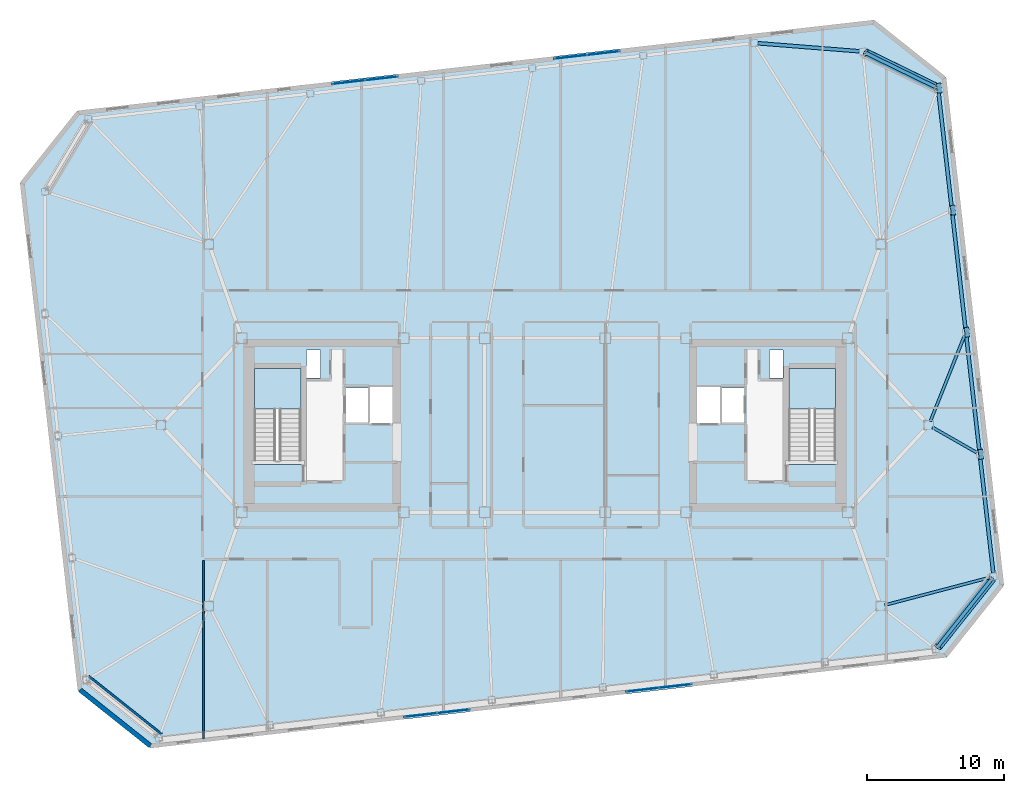
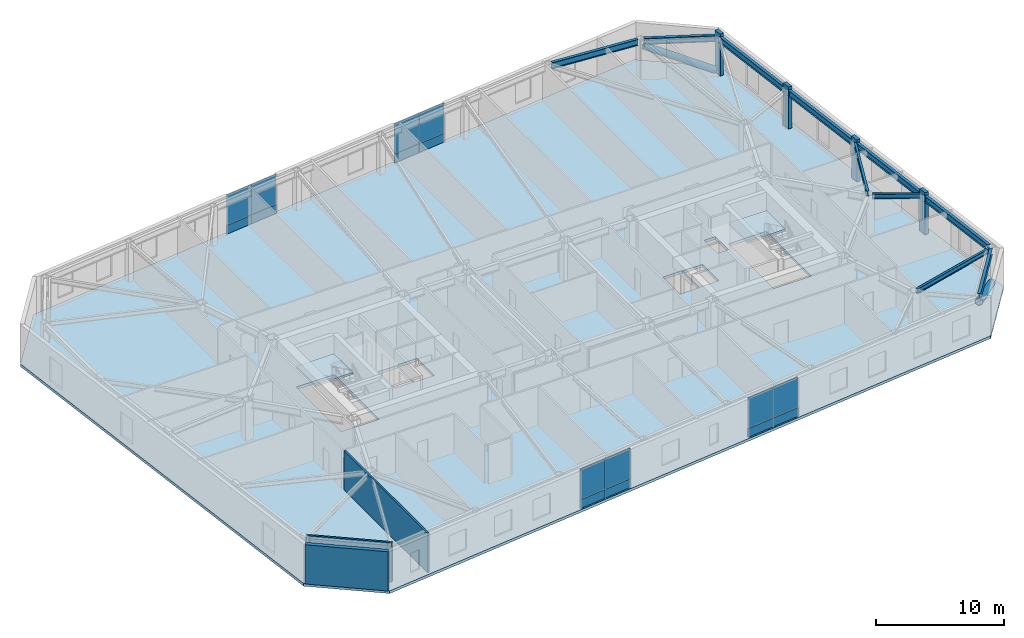
# One storey, part 11 of 19: 16 plates, 10 beams, 6 members, 3 slabs, 3 walls, 6 elements without a shape of their own.
"""IFC4 building model written with IfcOpenShell, lengths in metres."""

from ifc_helpers import new_model, si_unit, direction, frame, frame_2d, origin, origin_2d, place, context, subcontext, project, spatial, polyline, rectangle, hollow_circle, i_section, outline, extrude, material, layer, layer_set, material_profile, profile_set, type_object, element, aggregate, save


model = new_model("IFC4")

# Units and contexts
model_context = context("Model", 3, precision=1e-05, world=origin(), true_north=direction((0.0, 1.0)))
body_context = subcontext(model_context, "Body", "Model", "MODEL_VIEW")
ifc_project = project(units=[si_unit("LENGTHUNIT", "METRE"), si_unit("AREAUNIT", "SQUARE_METRE"), si_unit("VOLUMEUNIT", "CUBIC_METRE"), si_unit("PLANEANGLEUNIT", "RADIAN"), si_unit("MASSUNIT", "GRAM", prefix="KILO")], contexts=[model_context])

# Site, building, storey
site_placement = place(None, origin())
site = spatial("IfcSite", under=ifc_project, at=site_placement, CompositionType="ELEMENT")
building_placement = place(site_placement, origin())
building = spatial("IfcBuilding", under=site, at=building_placement, Name="Tavrogorsk Clinical Tower", CompositionType="ELEMENT")
storey_placement = place(building_placement, frame((0.0, 0.0, 259.0)))
storey = spatial("IfcBuildingStorey", under=building, at=storey_placement, Name="L60", CompositionType="ELEMENT", Elevation=259.0)

# Members
ifc_material_1 = material(Name="Structural steel S440", Category="steel")
ifc_material_profile_1 = material_profile(ifc_material_1, hollow_circle(Radius=0.304931640625, WallThickness=0.02490234375, at=origin_2d()), Name="CHS-610x25")
ifc_profile_set_1 = profile_set([ifc_material_profile_1], Name="Structural steel S440")
member_type_1 = type_object("IfcMemberType", Name="ExoBrace_CHS610", PredefinedType="BRACE", material=ifc_profile_set_1)
member_1_placement = place(storey_placement, frame((32.5859375, -11.2197265625, 0.398193359375), z_axis=(-0.575789482159, -0.723851679348, 0.380138420237), x_axis=(0.782601910855, -0.622522488852, 0.0)))
element("IfcMember", 1, at=member_1_placement, inside=storey, type_object=member_type_1, Name="L60 Corner Exoskeleton Brace S8-E1", PredefinedType="BRACE", context=body_context, shape_type="SweptSolid", body=[
    extrude(hollow_circle(Radius=0.304931640625, WallThickness=0.02490234375, at=origin_2d()), origin(), (0.0, 0.0, 1.0), 6.8232421875),
])
member_2_placement = place(storey_placement, frame((28.46630859375, 24.679443359375, 0.4072265625), z_axis=(-0.817526882464, 0.398699450942, 0.41555811178), x_axis=(-0.438340015424, -0.898809229413, 0.0)))
element("IfcMember", 2, at=member_2_placement, inside=storey, type_object=member_type_1, Name="L60 Corner Exoskeleton Brace E5-N1", PredefinedType="BRACE", context=body_context, shape_type="SweptSolid", body=[
    extrude(hollow_circle(Radius=0.304931640625, WallThickness=0.02490234375, at=origin_2d()), origin(), (0.0, 0.0, 1.0), 6.1982421875),
])

# Beams
ifc_material_2 = material(Name="Structural steel S355", Category="steel")
ifc_material_profile_2 = material_profile(ifc_material_2, i_section(OverallWidth=0.199951171875, OverallDepth=0.449951171875, WebThickness=0.011474609375, FlangeThickness=0.01806640625, at=origin_2d()), Name="B-450x200x11.5x18")
ifc_profile_set_2 = profile_set([ifc_material_profile_2], Name="Structural steel S355")
beam_type_1 = type_object("IfcBeamType", Name="FloorBeam_B450", PredefinedType="BEAM", material=ifc_profile_set_2)
beam_1_placement = place(storey_placement, frame((24.7998046875, -13.12109375, 3.514892578125), z_axis=(0.967072149487, 0.254502372652, 0.0), x_axis=(-0.254502372652, 0.967072149487, 0.0)))
element("IfcBeam", 3, at=beam_1_placement, inside=storey, type_object=beam_type_1, Name="L60 Radial Floor Beam E1", PredefinedType="BEAM", context=body_context, shape_type="SweptSolid", body=[
    extrude(i_section(OverallWidth=0.199951171875, OverallDepth=0.449951171875, WebThickness=0.011474609375, FlangeThickness=0.01806640625, at=origin_2d()), origin(), (0.0, 0.0, 1.0), 7.94677734375),
])
beam_2_placement = place(storey_placement, frame((28.26904296875, -0.154052734375, 3.514892578125), z_axis=(0.867782232017, -0.49694466271, 0.0), x_axis=(0.49694466271, 0.867782232017, 0.0)))
element("IfcBeam", 4, at=beam_2_placement, inside=storey, type_object=beam_type_1, Name="L60 Radial Floor Beam E2", PredefinedType="BEAM", context=body_context, shape_type="SweptSolid", body=[
    extrude(i_section(OverallWidth=0.199951171875, OverallDepth=0.449951171875, WebThickness=0.011474609375, FlangeThickness=0.01806640625, at=origin_2d()), origin(), (0.0, 0.0, 1.0), 3.718994140625),
])
beam_3_placement = place(storey_placement, frame((28.114990234375, 0.287841796875, 3.514892578125), z_axis=(0.371052625529, 0.928611839838, 0.0), x_axis=(-0.928611839838, 0.371052625529, 0.0)))
element("IfcBeam", 5, at=beam_3_placement, inside=storey, type_object=beam_type_1, Name="L60 Radial Floor Beam E3", PredefinedType="BEAM", context=body_context, shape_type="SweptSolid", body=[
    extrude(i_section(OverallWidth=0.199951171875, OverallDepth=0.449951171875, WebThickness=0.011474609375, FlangeThickness=0.01806640625, at=origin_2d()), origin(), (0.0, 0.0, 1.0), 6.724365234375),
])

# Members
ifc_material_3 = material(Name="Precast concrete B45 with limestone cladding", Category="masonry")
ifc_material_profile_3 = material_profile(ifc_material_3, rectangle(XDim=0.320068359375, YDim=0.719970703125, at=origin_2d()), Name="LIMESTONE-FIN-320x720")
ifc_profile_set_3 = profile_set([ifc_material_profile_3], Name="Precast concrete B45 with limestone cladding")
member_type_2 = type_object("IfcMemberType", Name="LimestonePleatFin_320x720", PredefinedType="USERDEFINED", material=ifc_profile_set_3)
for number, where, z_axis, x_axis, name in (
    (6, (31.799560546875, -2.121337890625, 0.0), (0.0, 0.0, 1.0), (0.993571855677, 0.113203213768, 0.0), "L60 E Pleated Stone Fin 1"),
    (7, (30.785400390625, 6.781005859375, 0.0), (0.0, 0.0, 1.0), (0.993571855677, 0.113203213768, 0.0), "L60 E Pleated Stone Fin 2"),
    (8, (29.77099609375, 15.683349609375, 0.0), (0.0, 0.0, 1.0), (0.993571855677, 0.113203213768, 0.0), "L60 E Pleated Stone Fin 3"),
    (9, (28.756591796875, 24.585693359375, 0.0), (0.0, 0.0, 1.0), (0.993571855677, 0.113203213768, 0.0), "L60 E Pleated Stone Fin 4"),
):
    element("IfcMember", number, at=place(storey_placement, frame(where, z_axis=z_axis, x_axis=x_axis)), inside=storey, type_object=member_type_2, Name=name, ObjectType="FIN", PredefinedType="USERDEFINED", context=body_context, shape_type="SweptSolid", body=[
        extrude(rectangle(XDim=0.320068359375, YDim=0.719970703125, at=origin_2d()), origin(), (0.0, 0.0, 1.0), 4.0),
    ])

# Beams
ifc_material_4 = material(Name="Structural steel S390", Category="steel")
ifc_material_profile_4 = material_profile(ifc_material_4, i_section(OverallWidth=0.260009765625, OverallDepth=0.60009765625, WebThickness=0.014892578125, FlangeThickness=0.02392578125, at=origin_2d()), Name="B-600x260x15x24")
ifc_profile_set_4 = profile_set([ifc_material_profile_4], Name="Structural steel S390")
beam_type_2 = type_object("IfcBeamType", Name="SpandrelBeam_B600", PredefinedType="SPANDREL", material=ifc_profile_set_4)
beam_4_placement = place(storey_placement, frame((28.669189453125, -16.1435546875, 3.43994140625), z_axis=(0.622513813188, 0.782608811853, 0.0), x_axis=(-0.782608811853, 0.622513813188, 0.0)))
element("IfcBeam", 10, at=beam_4_placement, inside=storey, type_object=beam_type_2, Name="L60 Perimeter Spandrel S8-E1", PredefinedType="SPANDREL", context=body_context, shape_type="SweptSolid", body=[
    extrude(i_section(OverallWidth=0.260009765625, OverallDepth=0.60009765625, WebThickness=0.014892578125, FlangeThickness=0.02392578125, at=origin_2d()), origin(), (0.0, 0.0, 1.0), 6.272216796875),
])
for number, where, z_axis, x_axis, name in (
    (11, (32.705078125, -10.776611328125, 3.43994140625), (-0.113191877531, 0.993573147212, 0.0), (-0.993573147212, -0.113191877531, 0.0), "L60 Perimeter Spandrel E1-E2"),
    (12, (31.69091796875, -1.874267578125, 3.43994140625), (-0.113191877531, 0.993573147212, 0.0), (-0.993573147212, -0.113191877531, 0.0), "L60 Perimeter Spandrel E2-E3"),
):
    element("IfcBeam", number, at=place(storey_placement, frame(where, z_axis=z_axis, x_axis=x_axis)), inside=storey, type_object=beam_type_2, Name=name, PredefinedType="SPANDREL", context=body_context, shape_type="SweptSolid", body=[
        extrude(i_section(OverallWidth=0.260009765625, OverallDepth=0.60009765625, WebThickness=0.014892578125, FlangeThickness=0.02392578125, at=origin_2d()), origin(), (0.0, 0.0, 1.0), 8.444091796875),
    ])
for number, where, z_axis, x_axis, name in (
    (13, (30.676513671875, 7.0283203125, 3.43994140625), (-0.113195129234, 0.99357277676, 0.0), (-0.99357277676, -0.113195129234, 0.0), "L60 Perimeter Spandrel E3-E4"),
    (14, (29.662353515625, 15.9306640625, 3.43994140625), (-0.113223671813, 0.993569524563, 0.0), (-0.993569524563, -0.113223671813, 0.0), "L60 Perimeter Spandrel E4-E5"),
):
    element("IfcBeam", number, at=place(storey_placement, frame(where, z_axis=z_axis, x_axis=x_axis)), inside=storey, type_object=beam_type_2, Name=name, PredefinedType="SPANDREL", context=body_context, shape_type="SweptSolid", body=[
        extrude(i_section(OverallWidth=0.260009765625, OverallDepth=0.60009765625, WebThickness=0.014892578125, FlangeThickness=0.02392578125, at=origin_2d()), origin(), (0.0, 0.0, 1.0), 8.44384765625),
    ])
beam_5_placement = place(storey_placement, frame((28.4453125, 24.689697265625, 3.43994140625), z_axis=(-0.898811248667, 0.438335874951, 0.0), x_axis=(-0.438335874951, -0.898811248667, 0.0)))
element("IfcBeam", 15, at=beam_5_placement, inside=storey, type_object=beam_type_2, Name="L60 Perimeter Spandrel E5-N1", PredefinedType="SPANDREL", context=body_context, shape_type="SweptSolid", body=[
    extrude(i_section(OverallWidth=0.260009765625, OverallDepth=0.60009765625, WebThickness=0.014892578125, FlangeThickness=0.02392578125, at=origin_2d()), origin(), (0.0, 0.0, 1.0), 5.5908203125),
])
beam_6_placement = place(storey_placement, frame((22.930908203125, 27.273681640625, 3.43994140625), z_axis=(-0.996881705424, 0.078910489738, 0.0), x_axis=(-0.078910489738, -0.996881705424, 0.0)))
element("IfcBeam", 16, at=beam_6_placement, inside=storey, type_object=beam_type_2, Name="L60 Perimeter Spandrel N1-N2", PredefinedType="SPANDREL", context=body_context, shape_type="SweptSolid", body=[
    extrude(i_section(OverallWidth=0.260009765625, OverallDepth=0.60009765625, WebThickness=0.014892578125, FlangeThickness=0.02392578125, at=origin_2d()), origin(), (0.0, 0.0, 1.0), 7.428466796875),
])

# Curtain wall, plates
ifc_material_5 = material(Name="Anodised aluminium and triple IGU glazing", Category="aluminium")
ifc_layer_1 = layer(ifc_material_5, 0.179931640625)
ifc_layer_set_1 = layer_set([ifc_layer_1], Name="Anodised aluminium and triple IGU glazing")
curtain_wall_type_1 = type_object("IfcCurtainWallType", Name="CW3_SouthSlot", PredefinedType="NOTDEFINED", material=ifc_layer_set_1)
curtain_wall_1_placement = place(storey_placement, origin())
curtain_wall_1 = element("IfcCurtainWall", 17, at=curtain_wall_1_placement, inside=storey, type_object=curtain_wall_type_1, Name="L60 Curtain Wall CW-L60-S-SLOT-1", PredefinedType="NOTDEFINED")
ifc_material_6 = material(Name="Honed Podolsk limestone spandrel panel", Category="masonry")
ifc_layer_2 = layer(ifc_material_6, 0.080078125)
ifc_layer_set_2 = layer_set([ifc_layer_2], Name="Honed Podolsk limestone spandrel panel")
plate_type_1 = type_object("IfcPlateType", Name="CwSpandrelStonePanel_80", PredefinedType="CURTAIN_PANEL", material=ifc_layer_set_2)
plate_1_placement = place(storey_placement, frame((-9.066650390625, -21.139892578125, 0.001953125), z_axis=(0.0, 0.0, 1.0), x_axis=(0.993571855603, 0.11320321441, 0.0)))
plate_1 = element("IfcPlate", 18, at=plate_1_placement, type_object=plate_type_1, Name="CW-L60-S-SLOT-1 Stone Spandrel Panel 1", PredefinedType="CURTAIN_PANEL", context=body_context, shape_type="SweptSolid", body=[
    extrude(rectangle(XDim=2.39208984375, YDim=0.080078125, at=origin_2d()), origin(), (0.0, 0.0, 1.0), 0.8359375),
])
plate_2_placement = place(storey_placement, frame((-6.666259765625, -20.866455078125, 0.001953125), z_axis=(0.0, 0.0, 1.0), x_axis=(0.993571855603, 0.11320321441, 0.0)))
plate_2 = element("IfcPlate", 19, at=plate_2_placement, type_object=plate_type_1, Name="CW-L60-S-SLOT-1 Stone Spandrel Panel 2", PredefinedType="CURTAIN_PANEL", context=body_context, shape_type="SweptSolid", body=[
    extrude(rectangle(XDim=2.39208984375, YDim=0.080078125, at=origin_2d()), origin(), (0.0, 0.0, 1.0), 0.8359375),
])

curtain_wall_2_placement = place(storey_placement, origin())
curtain_wall_2 = element("IfcCurtainWall", 20, at=curtain_wall_2_placement, inside=storey, type_object=curtain_wall_type_1, Name="L60 Curtain Wall CW-L60-S-SLOT-2", PredefinedType="NOTDEFINED")
plate_3_placement = place(storey_placement, frame((7.125732421875, -19.294921875, 0.001953125), z_axis=(0.0, 0.0, 1.0), x_axis=(0.993571855603, 0.11320321441, 0.0)))
plate_3 = element("IfcPlate", 21, at=plate_3_placement, type_object=plate_type_1, Name="CW-L60-S-SLOT-2 Stone Spandrel Panel 1", PredefinedType="CURTAIN_PANEL", context=body_context, shape_type="SweptSolid", body=[
    extrude(rectangle(XDim=2.39208984375, YDim=0.080078125, at=origin_2d()), origin(), (0.0, 0.0, 1.0), 0.8359375),
])
plate_4_placement = place(storey_placement, frame((9.526123046875, -19.021484375, 0.001953125), z_axis=(0.0, 0.0, 1.0), x_axis=(0.993571855603, 0.11320321441, 0.0)))
plate_4 = element("IfcPlate", 22, at=plate_4_placement, type_object=plate_type_1, Name="CW-L60-S-SLOT-2 Stone Spandrel Panel 2", PredefinedType="CURTAIN_PANEL", context=body_context, shape_type="SweptSolid", body=[
    extrude(rectangle(XDim=2.39208984375, YDim=0.080078125, at=origin_2d()), origin(), (0.0, 0.0, 1.0), 0.8359375),
])

ifc_material_7 = material(Name="Anodised aluminium and triple IGU glazing", Category="aluminium")
ifc_layer_3 = layer(ifc_material_7, 0.179931640625)
ifc_layer_set_3 = layer_set([ifc_layer_3], Name="Anodised aluminium and triple IGU glazing")
curtain_wall_type_2 = type_object("IfcCurtainWallType", Name="CW2_NorthSlot", PredefinedType="NOTDEFINED", material=ifc_layer_set_3)
curtain_wall_3_placement = place(storey_placement, origin())
curtain_wall_3 = element("IfcCurtainWall", 23, at=curtain_wall_3_placement, inside=storey, type_object=curtain_wall_type_2, Name="L60 Curtain Wall CW-L60-N-SLOT-1", PredefinedType="NOTDEFINED")
plate_5_placement = place(storey_placement, frame((-11.92578125, 25.294921875, 0.001953125), z_axis=(0.0, 0.0, 1.0), x_axis=(-0.993571855603, -0.11320321441, 0.0)))
plate_5 = element("IfcPlate", 24, at=plate_5_placement, type_object=plate_type_1, Name="CW-L60-N-SLOT-1 Stone Spandrel Panel 1", PredefinedType="CURTAIN_PANEL", context=body_context, shape_type="SweptSolid", body=[
    extrude(rectangle(XDim=2.39208984375, YDim=0.080078125, at=origin_2d()), origin(), (0.0, 0.0, 1.0), 0.8359375),
])
plate_6_placement = place(storey_placement, frame((-14.326171875, 25.021484375, 0.001953125), z_axis=(0.0, 0.0, 1.0), x_axis=(-0.993571855603, -0.11320321441, 0.0)))
plate_6 = element("IfcPlate", 25, at=plate_6_placement, type_object=plate_type_1, Name="CW-L60-N-SLOT-1 Stone Spandrel Panel 2", PredefinedType="CURTAIN_PANEL", context=body_context, shape_type="SweptSolid", body=[
    extrude(rectangle(XDim=2.39208984375, YDim=0.080078125, at=origin_2d()), origin(), (0.0, 0.0, 1.0), 0.8359375),
])

curtain_wall_4_placement = place(storey_placement, origin())
curtain_wall_4 = element("IfcCurtainWall", 26, at=curtain_wall_4_placement, inside=storey, type_object=curtain_wall_type_2, Name="L60 Curtain Wall CW-L60-N-SLOT-2", PredefinedType="NOTDEFINED")
plate_7_placement = place(storey_placement, frame((4.266845703125, 27.139892578125, 0.001953125), z_axis=(0.0, 0.0, 1.0), x_axis=(-0.993571855603, -0.11320321441, 0.0)))
plate_7 = element("IfcPlate", 27, at=plate_7_placement, type_object=plate_type_1, Name="CW-L60-N-SLOT-2 Stone Spandrel Panel 1", PredefinedType="CURTAIN_PANEL", context=body_context, shape_type="SweptSolid", body=[
    extrude(rectangle(XDim=2.39208984375, YDim=0.080078125, at=origin_2d()), origin(), (0.0, 0.0, 1.0), 0.8359375),
])
plate_8_placement = place(storey_placement, frame((1.8662109375, 26.866455078125, 0.001953125), z_axis=(0.0, 0.0, 1.0), x_axis=(-0.993571855603, -0.11320321441, 0.0)))
plate_8 = element("IfcPlate", 28, at=plate_8_placement, type_object=plate_type_1, Name="CW-L60-N-SLOT-2 Stone Spandrel Panel 2", PredefinedType="CURTAIN_PANEL", context=body_context, shape_type="SweptSolid", body=[
    extrude(rectangle(XDim=2.39208984375, YDim=0.080078125, at=origin_2d()), origin(), (0.0, 0.0, 1.0), 0.8359375),
])

# Plate
ifc_material_8 = material(Name="Triple low-E argon insulated glass", Category="glass")
ifc_layer_4 = layer(ifc_material_8, 0.048095703125)
ifc_layer_set_4 = layer_set([ifc_layer_4], Name="Triple low-E argon insulated glass")
plate_type_2 = type_object("IfcPlateType", Name="CwVisionGlassPanel_48", PredefinedType="CURTAIN_PANEL", material=ifc_layer_set_4)
plate_9_placement = place(storey_placement, frame((-9.066650390625, -21.139892578125, 0.862060546875), z_axis=(0.0, 0.0, 1.0), x_axis=(0.993571855603, 0.11320321441, 0.0)))
plate_9 = element("IfcPlate", 29, at=plate_9_placement, type_object=plate_type_2, Name="CW-L60-S-SLOT-1 Glazing Panel 1", PredefinedType="CURTAIN_PANEL", context=body_context, shape_type="SweptSolid", body=[
    extrude(rectangle(XDim=2.39208984375, YDim=0.048095703125, at=origin_2d()), origin(), (0.0, 0.0, 1.0), 2.8759765625),
])

plate_10_placement = place(storey_placement, frame((-6.666259765625, -20.866455078125, 0.862060546875), z_axis=(0.0, 0.0, 1.0), x_axis=(0.993571855603, 0.11320321441, 0.0)))
plate_10 = element("IfcPlate", 30, at=plate_10_placement, type_object=plate_type_2, Name="CW-L60-S-SLOT-1 Glazing Panel 2", PredefinedType="CURTAIN_PANEL", context=body_context, shape_type="SweptSolid", body=[
    extrude(rectangle(XDim=2.39208984375, YDim=0.048095703125, at=origin_2d()), origin(), (0.0, 0.0, 1.0), 2.8759765625),
])

aggregate(curtain_wall_1, [plate_1, plate_9, plate_2, plate_10])

plate_11_placement = place(storey_placement, frame((7.125732421875, -19.294921875, 0.862060546875), z_axis=(0.0, 0.0, 1.0), x_axis=(0.993571855603, 0.11320321441, 0.0)))
plate_11 = element("IfcPlate", 31, at=plate_11_placement, type_object=plate_type_2, Name="CW-L60-S-SLOT-2 Glazing Panel 1", PredefinedType="CURTAIN_PANEL", context=body_context, shape_type="SweptSolid", body=[
    extrude(rectangle(XDim=2.39208984375, YDim=0.048095703125, at=origin_2d()), origin(), (0.0, 0.0, 1.0), 2.8759765625),
])

plate_12_placement = place(storey_placement, frame((9.526123046875, -19.021484375, 0.862060546875), z_axis=(0.0, 0.0, 1.0), x_axis=(0.993571855603, 0.11320321441, 0.0)))
plate_12 = element("IfcPlate", 32, at=plate_12_placement, type_object=plate_type_2, Name="CW-L60-S-SLOT-2 Glazing Panel 2", PredefinedType="CURTAIN_PANEL", context=body_context, shape_type="SweptSolid", body=[
    extrude(rectangle(XDim=2.39208984375, YDim=0.048095703125, at=origin_2d()), origin(), (0.0, 0.0, 1.0), 2.8759765625),
])

aggregate(curtain_wall_2, [plate_3, plate_11, plate_4, plate_12])

plate_13_placement = place(storey_placement, frame((-11.92578125, 25.294921875, 0.862060546875), z_axis=(0.0, 0.0, 1.0), x_axis=(-0.993571855603, -0.11320321441, 0.0)))
plate_13 = element("IfcPlate", 33, at=plate_13_placement, type_object=plate_type_2, Name="CW-L60-N-SLOT-1 Glazing Panel 1", PredefinedType="CURTAIN_PANEL", context=body_context, shape_type="SweptSolid", body=[
    extrude(rectangle(XDim=2.39208984375, YDim=0.048095703125, at=origin_2d()), origin(), (0.0, 0.0, 1.0), 2.8759765625),
])

plate_14_placement = place(storey_placement, frame((-14.326171875, 25.021484375, 0.862060546875), z_axis=(0.0, 0.0, 1.0), x_axis=(-0.993571855603, -0.11320321441, 0.0)))
plate_14 = element("IfcPlate", 34, at=plate_14_placement, type_object=plate_type_2, Name="CW-L60-N-SLOT-1 Glazing Panel 2", PredefinedType="CURTAIN_PANEL", context=body_context, shape_type="SweptSolid", body=[
    extrude(rectangle(XDim=2.39208984375, YDim=0.048095703125, at=origin_2d()), origin(), (0.0, 0.0, 1.0), 2.8759765625),
])

aggregate(curtain_wall_3, [plate_5, plate_13, plate_6, plate_14])

plate_15_placement = place(storey_placement, frame((4.266845703125, 27.139892578125, 0.862060546875), z_axis=(0.0, 0.0, 1.0), x_axis=(-0.993571855603, -0.11320321441, 0.0)))
plate_15 = element("IfcPlate", 35, at=plate_15_placement, type_object=plate_type_2, Name="CW-L60-N-SLOT-2 Glazing Panel 1", PredefinedType="CURTAIN_PANEL", context=body_context, shape_type="SweptSolid", body=[
    extrude(rectangle(XDim=2.39208984375, YDim=0.048095703125, at=origin_2d()), origin(), (0.0, 0.0, 1.0), 2.8759765625),
])

plate_16_placement = place(storey_placement, frame((1.8662109375, 26.866455078125, 0.862060546875), z_axis=(0.0, 0.0, 1.0), x_axis=(-0.993571855603, -0.11320321441, 0.0)))
plate_16 = element("IfcPlate", 36, at=plate_16_placement, type_object=plate_type_2, Name="CW-L60-N-SLOT-2 Glazing Panel 2", PredefinedType="CURTAIN_PANEL", context=body_context, shape_type="SweptSolid", body=[
    extrude(rectangle(XDim=2.39208984375, YDim=0.048095703125, at=origin_2d()), origin(), (0.0, 0.0, 1.0), 2.8759765625),
])

aggregate(curtain_wall_4, [plate_7, plate_15, plate_8, plate_16])

# Stair, slab
ifc_material_9 = material(Name="Concrete B60", Category="concrete")
stair_type = type_object("IfcStairType", Name="CoreStairAssembly", PredefinedType="HALF_TURN_STAIR", material=ifc_material_9)
stair_1_placement = place(storey_placement, origin())
stair_1 = element("IfcStair", 37, at=stair_1_placement, inside=storey, type_object=stair_type, Name="L60 ST-W", PredefinedType="HALF_TURN_STAIR")
ifc_material_10 = material(Name="Concrete B60", Category="concrete")
ifc_layer_5 = layer(ifc_material_10, 0.199951171875)
ifc_layer_set_5 = layer_set([ifc_layer_5], Name="Concrete B60")
slab_type_1 = type_object("IfcSlabType", Name="StairLanding_200", PredefinedType="LANDING", material=ifc_layer_set_5)
slab_1_placement = place(storey_placement, frame((0.0, 0.0, 1.800048828125)))
slab_1 = element("IfcSlab", 38, at=slab_1_placement, type_object=slab_type_1, Name="ST-W landing 1", PredefinedType="LANDING", context=body_context, shape_type="SweptSolid", body=[
    extrude(outline(polyline([(-17.800048828125, 1.1650390625), (-17.800048828125, 4.125), (-21.199951171875, 4.125), (-21.199951171875, 1.1650390625), (-17.800048828125, 1.1650390625)])), origin(), (0.0, 0.0, 1.0), 0.199951171875),
])
aggregate(stair_1, [slab_1])

stair_2_placement = place(storey_placement, origin())
stair_2 = element("IfcStair", 39, at=stair_2_placement, inside=storey, type_object=stair_type, Name="L60 ST-E", PredefinedType="HALF_TURN_STAIR")
slab_2_placement = place(storey_placement, frame((0.0, 0.0, 1.800048828125)))
slab_2 = element("IfcSlab", 40, at=slab_2_placement, type_object=slab_type_1, Name="ST-E landing 1", PredefinedType="LANDING", context=body_context, shape_type="SweptSolid", body=[
    extrude(outline(polyline([(21.199951171875, 1.1650390625), (21.199951171875, 4.125), (17.800048828125, 4.125), (17.800048828125, 1.1650390625), (21.199951171875, 1.1650390625)])), origin(), (0.0, 0.0, 1.0), 0.199951171875),
])
aggregate(stair_2, [slab_2])

# Slab
ifc_material_11 = material(Name="Concrete B60", Category="concrete")
ifc_layer_6 = layer(ifc_material_11, 0.260009765625)
ifc_layer_set_6 = layer_set([ifc_layer_6], Name="Concrete B60")
slab_type_2 = type_object("IfcSlabType", Name="WardSlab_260", PredefinedType="FLOOR", material=ifc_layer_set_6)
slab_3_placement = place(storey_placement, frame((0.0, 0.0, -0.260009765625)))
element("IfcSlab", 41, at=slab_3_placement, inside=storey, type_object=slab_type_2, Name="L60 Structural Slab", PredefinedType="FLOOR", context=body_context, shape_type="SweptSolid", body=[
    extrude(outline(polyline([(-28.76318359375, -23.55517578125), (29.26123046875, -16.944091796875), (33.487060546875, -11.631591796875), (29.27587890625, 25.329345703125), (23.96337890625, 29.55517578125), (-34.061279296875, 22.944091796875), (-38.287109375, 17.631591796875), (-34.075927734375, -19.329345703125), (-28.76318359375, -23.55517578125)]), holes=[polyline([(-17.800048828125, -2.8798828125), (-17.800048828125, 4.125), (-21.199951171875, 4.125), (-21.199951171875, -2.8798828125), (-17.800048828125, -2.8798828125)]), polyline([(21.199951171875, -2.8798828125), (21.199951171875, 4.125), (17.800048828125, 4.125), (17.800048828125, -2.8798828125), (21.199951171875, -2.8798828125)]), polyline([(-14.6201171875, 0.169921875), (-12.860107421875, 0.169921875), (-12.860107421875, 2.72998046875), (-14.6201171875, 2.72998046875), (-14.6201171875, 0.169921875)]), polyline([(-12.840087890625, 0.1201171875), (-11.080078125, 0.1201171875), (-11.080078125, 2.780029296875), (-12.840087890625, 2.780029296875), (-12.840087890625, 0.1201171875)]), polyline([(12.860107421875, 0.169921875), (14.6201171875, 0.169921875), (14.6201171875, 2.72998046875), (12.860107421875, 2.72998046875), (12.860107421875, 0.169921875)]), polyline([(11.080078125, 0.1201171875), (12.840087890625, 0.1201171875), (12.840087890625, 2.780029296875), (11.080078125, 2.780029296875), (11.080078125, 0.1201171875)]), polyline([(-17.3798828125, 3.449951171875), (-16.3798828125, 3.449951171875), (-16.3798828125, 5.5), (-17.3798828125, 5.5), (-17.3798828125, 3.449951171875)]), polyline([(16.3798828125, 3.449951171875), (17.3798828125, 3.449951171875), (17.3798828125, 5.5), (16.3798828125, 5.5), (16.3798828125, 3.449951171875)])]), origin(), (0.0, 0.0, 1.0), 0.260009765625),
])

# Walls
ifc_material_12 = material(Name="Lightweight concrete blockwork B15", Category="masonry")
ifc_layer_7 = layer(ifc_material_12, 0.159912109375)
ifc_layer_set_7 = layer_set([ifc_layer_7], Name="Lightweight concrete blockwork B15")
wall_type_1 = type_object("IfcWallType", Name="PartitionWall_160", PredefinedType="PARTITIONING", material=ifc_layer_set_7)
wall_1_placement = place(storey_placement, frame((-33.265380859375, -18.310546875, 0.0), z_axis=(0.0, 0.0, 1.0), x_axis=(0.782602647064, -0.622521563328, 0.0)))
element("IfcWall", 42, at=wall_1_placement, inside=storey, type_object=wall_type_1, Name="L60 Corner Exoskeleton Brace Furring Wall 4", PredefinedType="PARTITIONING", context=body_context, shape_type="SweptSolid", body=[
    extrude(rectangle(XDim=6.788330078125, YDim=0.159912109375, at=frame_2d((3.39404296875, 0.0))), origin(), (0.0, 0.0, 1.0), 3.739990234375),
])
wall_2_placement = place(storey_placement, frame((-24.89990234375, -22.873291015625, 0.0), z_axis=(0.0, 0.0, 1.0), x_axis=(0.0, 1.0, 0.0)))
element("IfcWall", 43, at=wall_2_placement, inside=storey, type_object=wall_type_1, Name="L60 SW Wing Closure Partition", PredefinedType="PARTITIONING", context=body_context, shape_type="SweptSolid", body=[
    extrude(rectangle(XDim=13.00830078125, YDim=0.159912109375, at=frame_2d((6.504150390625, 0.0))), origin(), (0.0, 0.0, 1.0), 3.739990234375),
])
ifc_material_13 = material(Name="Precast concrete B45 with limestone cladding", Category="masonry")
ifc_layer_8 = layer(ifc_material_13, 0.340087890625)
ifc_layer_set_8 = layer_set([ifc_layer_8], Name="Precast concrete B45 with limestone cladding")
wall_type_2 = type_object("IfcWallType", Name="PrecastLimestoneWall_340", PredefinedType="STANDARD", material=ifc_layer_set_8)
wall_3_placement = place(storey_placement, frame((-33.906982421875, -19.31005859375, 0.0), z_axis=(0.0, 0.0, 1.0), x_axis=(0.782611787794, -0.622510071892, 0.0)))
element("IfcWall", 44, at=wall_3_placement, inside=storey, type_object=wall_type_2, Name="L60 Chamfered Corner Wall 4", PredefinedType="STANDARD", context=body_context, shape_type="SweptSolid", body=[
    extrude(rectangle(XDim=6.5478515625, YDim=0.340087890625, at=frame_2d((3.27392578125, 0.0))), origin(), (0.0, 0.0, 1.0), 3.739990234375),
])

save(model, "model.ifc")
